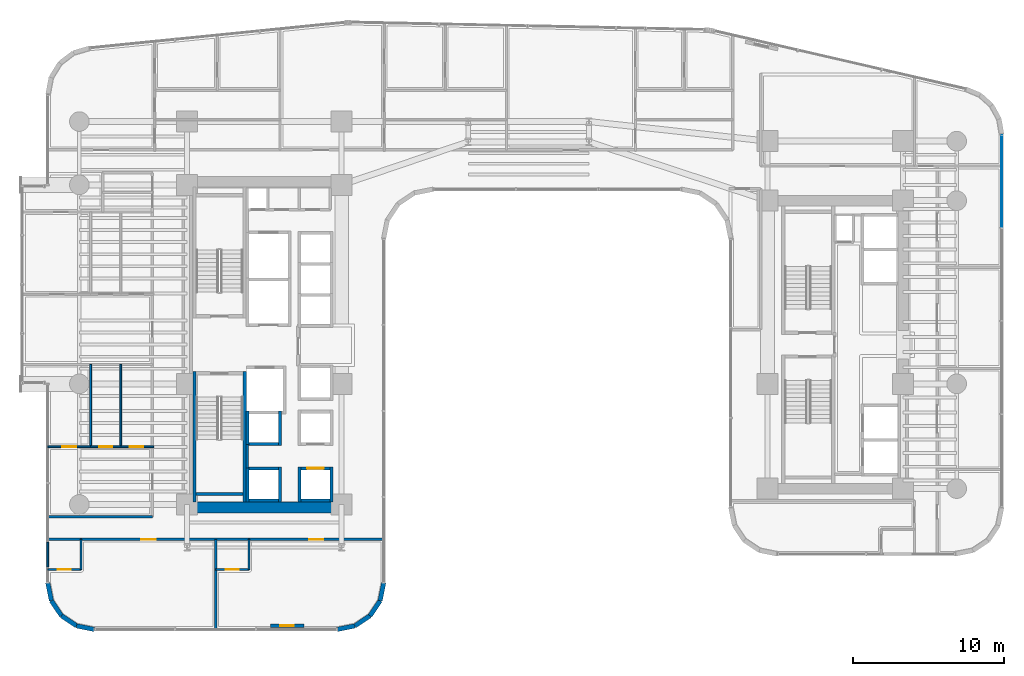
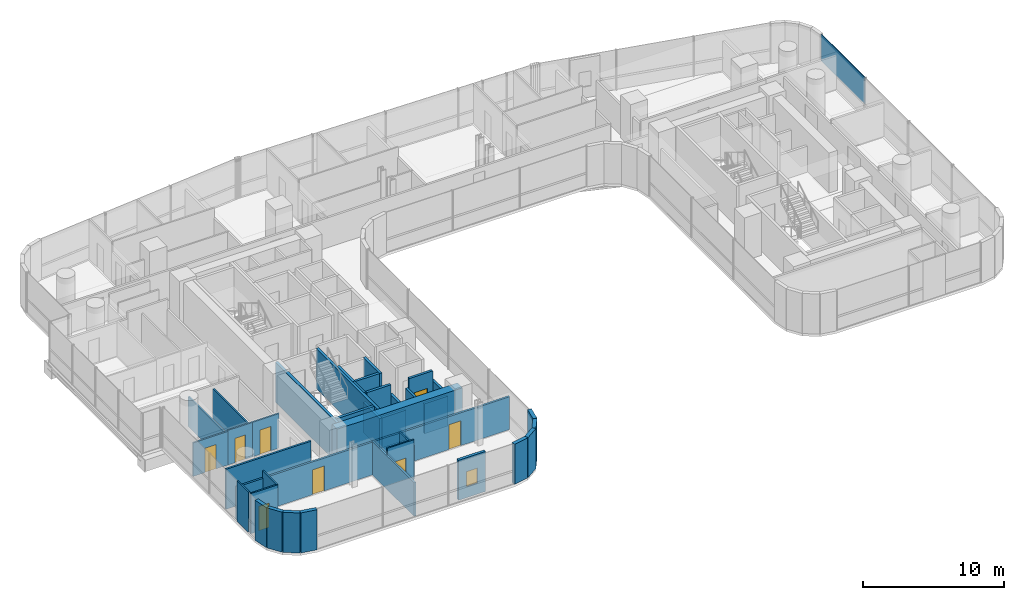
# One storey, part 29 of 40: 38 walls, 8 doors, 1 plate, 1 window, 9 openings, 1 element without a shape of its own.
"""IFC4 building model written with IfcOpenShell, lengths in metres."""

from ifc_helpers import new_model, si_unit, direction, frame, frame_2d, origin, origin_2d, place, context, subcontext, project, spatial, rectangle, extrude, source, transform, mapped, material, layer, layer_set, type_object, element, fill, aggregate, save


model = new_model("IFC4")

# Units and contexts
model_context = context("Model", 3, precision=1e-05, world=origin(), true_north=direction((0.0, 1.0)))
body_context = subcontext(model_context, "Body", "Model", "MODEL_VIEW")
ifc_project = project(units=[si_unit("LENGTHUNIT", "METRE"), si_unit("AREAUNIT", "SQUARE_METRE"), si_unit("VOLUMEUNIT", "CUBIC_METRE"), si_unit("PLANEANGLEUNIT", "RADIAN"), si_unit("MASSUNIT", "GRAM", prefix="KILO")], contexts=[model_context])

# Site, building, storey
site_placement = place(None, origin())
site = spatial("IfcSite", under=ifc_project, at=site_placement, CompositionType="ELEMENT")
building_placement = place(site_placement, origin())
building = spatial("IfcBuilding", under=site, at=building_placement, Name="Valdorenza Pilgrim Sanctuary Tower", CompositionType="ELEMENT")
storey_placement = place(building_placement, frame((0.0, 0.0, 40.800048828125)))
storey = spatial("IfcBuildingStorey", under=building, at=storey_placement, Name="L09", CompositionType="ELEMENT", Elevation=40.800048828125)

# Curtain wall, plate
ifc_material_1 = material(Name="Curtain-wall IGU glazing", Category="glass")
curtain_wall_type = type_object("IfcCurtainWallType", Name="CW-SYS-03", PredefinedType="NOTDEFINED", material=ifc_material_1)
curtain_wall_placement = place(storey_placement, origin())
curtain_wall = element("IfcCurtainWall", 1, at=curtain_wall_placement, inside=storey, type_object=curtain_wall_type, Name="L09 Curtain Wall CW-L09-1-21", PredefinedType="NOTDEFINED")
ifc_material_2 = material(Name="Ceramic-fritted low-E IGU glazing", Category="glass")
ifc_layer_1 = layer(ifc_material_2, 0.035888671875, Name="Ceramic-fritted low-E IGU glazing")
ifc_layer_set_1 = layer_set([ifc_layer_1], Name="Ceramic-fritted low-E IGU glazing")
plate_type = type_object("IfcPlateType", Name="CW-GLZ-IGU", PredefinedType="USERDEFINED", material=ifc_layer_set_1)
shared_shape = source(origin(), body_context, "Body", "SweptSolid", [
    extrude(rectangle(XDim=6.16357421875, YDim=0.050048828125, at=origin_2d()), origin(), (0.0, 0.0, 1.0), 2.320068359375),
])
plate_placement = place(storey_placement, frame((31.389892578125, 10.853271484375, 1.1298828125), z_axis=(0.0, 0.0, 1.0), x_axis=(0.0, -1.0, 0.0)))
plate = element("IfcPlate", 2, at=plate_placement, type_object=plate_type, Name="CW-L09-1-21 Facade Panel 1", ObjectType="GLAZING", PredefinedType="USERDEFINED", context=body_context, shape_type="MappedRepresentation", body=[
    mapped(shared_shape, transform((0.0, 0.0, 0.0), x_axis=(1.0, 0.0, 0.0), y_axis=(0.0, 1.0, 0.0), z_axis=(0.0, 0.0, 1.0), scale=1.0)),
])
aggregate(curtain_wall, [plate])

# Wall
ifc_material_3 = material(Name="Acoustic twin-stud gypsum partition", Category="gypsum")
ifc_layer_2 = layer(ifc_material_3, 0.159912109375, Name="Acoustic twin-stud gypsum partition")
ifc_layer_set_2 = layer_set([ifc_layer_2], Name="Acoustic twin-stud gypsum partition")
wall_type_1 = type_object("IfcWallType", Name="WAL-COR-160", PredefinedType="PARTITIONING", material=ifc_layer_set_2)
wall_1_placement = place(storey_placement, frame((-18.64990234375, -8.179931640625, 0.0), z_axis=(0.0, 0.0, 1.0), x_axis=(0.0, 1.0, 0.0)))
element("IfcWall", 3, at=wall_1_placement, inside=storey, type_object=wall_type_1, Name="L09 Core A South Lift Hall West Wall", PredefinedType="PARTITIONING", context=body_context, shape_type="SweptSolid", body=[
    extrude(rectangle(XDim=1.559814453125, YDim=0.159912109375, at=frame_2d((0.77978515625, 0.0))), origin(), (0.0, 0.0, 1.0), 3.4599609375),
])

# Wall, openings, doors
wall_2_placement = place(storey_placement, frame((-31.889892578125, -12.919921875, 0.0), z_axis=(0.0, 0.0, 1.0), x_axis=(1.0, 0.0, 0.0)))
wall_2 = element("IfcWall", 4, at=wall_2_placement, inside=storey, type_object=wall_type_1, Name="L09 South Wing Corridor Wall", PredefinedType="PARTITIONING", context=body_context, shape_type="SweptSolid", body=[
    extrude(rectangle(XDim=22.27978515625, YDim=0.159912109375, at=frame_2d((11.139892578125, 0.0))), origin(), (0.0, 0.0, 1.0), 2.833984375),
])
opening_1_placement = place(wall_2_placement, frame((6.195068359375, 0.0, 0.0)))
opening_1 = element("IfcOpeningElement", 5, at=opening_1_placement, cuts=wall_2, Name="Opening DR-UN1", PredefinedType="OPENING", context=body_context, shape_type="SweptSolid", body=[
    extrude(rectangle(XDim=0.949951171875, YDim=2.14990234375, at=frame_2d((0.47509765625, 1.074951171875))), frame((0.0, 0.0947265625, 0.0), z_axis=(0.0, -1.0, 0.0), x_axis=(1.0, 0.0, 0.0)), (0.0, 0.0, 1.0), 0.189697265625),
])
opening_2_placement = place(wall_2_placement, frame((17.3349609375, 0.0, 0.0)))
opening_2 = element("IfcOpeningElement", 6, at=opening_2_placement, cuts=wall_2, Name="Opening DR-UN1", PredefinedType="OPENING", context=body_context, shape_type="SweptSolid", body=[
    extrude(rectangle(XDim=0.949951171875, YDim=2.14990234375, at=frame_2d((0.47509765625, 1.074951171875))), frame((0.0, 0.0947265625, 0.0), z_axis=(0.0, -1.0, 0.0), x_axis=(1.0, 0.0, 0.0)), (0.0, 0.0, 1.0), 0.189697265625),
])
ifc_material_4 = material(Name="Solid-core European oak timber", Category="wood")
door_type_1 = type_object("IfcDoorType", Name="DR-UNIT-950", OperationType="NOTDEFINED", PredefinedType="DOOR", material=ifc_material_4)
door_1_placement = place(opening_1_placement, frame((0.949951171875, 0.0, 0.0), z_axis=(0.0, 0.0, 1.0), x_axis=(-1.0, 0.0, 0.0)))
door_1 = element("IfcDoor", 7, at=door_1_placement, inside=storey, type_object=door_type_1, Name="L09 South Sanctuary Guest Room L09-S1A Entrance Door", OperationType="SINGLE_SWING_LEFT", OverallHeight=2.14990234375, OverallWidth=0.949951171875, PredefinedType="DOOR", context=body_context, shape_type="SweptSolid", body=[
    extrude(rectangle(XDim=0.949951171875, YDim=2.14990234375, at=frame_2d((0.47509765625, 1.074951171875))), frame((0.0, 0.02490234375, 0.0), z_axis=(0.0, -1.0, 0.0), x_axis=(1.0, 0.0, 0.0)), (0.0, 0.0, 1.0), 0.050048828125),
])
fill(opening_1, door_1)
door_2_placement = place(opening_2_placement, frame((0.949951171875, 0.0, 0.0), z_axis=(0.0, 0.0, 1.0), x_axis=(-1.0, 0.0, 0.0)))
door_2 = element("IfcDoor", 8, at=door_2_placement, inside=storey, type_object=door_type_1, Name="L09 South Sanctuary Guest Room L09-S1B Entrance Door", OperationType="SINGLE_SWING_LEFT", OverallHeight=2.14990234375, OverallWidth=0.949951171875, PredefinedType="DOOR", context=body_context, shape_type="SweptSolid", body=[
    extrude(rectangle(XDim=0.949951171875, YDim=2.14990234375, at=frame_2d((0.47509765625, 1.074951171875))), frame((0.0, 0.02490234375, 0.0), z_axis=(0.0, -1.0, 0.0), x_axis=(1.0, 0.0, 0.0)), (0.0, 0.0, 1.0), 0.050048828125),
])
fill(opening_2, door_2)

# Walls
wall_3_placement = place(storey_placement, frame((-31.889892578125, -11.419921875, 0.0), z_axis=(0.0, 0.0, 1.0), x_axis=(1.0, 0.0, 0.0)))
element("IfcWall", 9, at=wall_3_placement, inside=storey, type_object=wall_type_1, Name="L09 South-West Corridor North Wall", PredefinedType="PARTITIONING", context=body_context, shape_type="SweptSolid", body=[
    extrude(rectangle(XDim=6.93994140625, YDim=0.159912109375, at=frame_2d((3.469970703125, 0.0))), origin(), (0.0, 0.0, 1.0), 3.4599609375),
])
ifc_material_5 = material(Name="Concrete C60/75", Category="concrete")
ifc_layer_3 = layer(ifc_material_5, 0.699951171875, Name="Concrete C60/75")
ifc_layer_set_3 = layer_set([ifc_layer_3], Name="Concrete C60/75")
wall_type_2 = type_object("IfcWallType", Name="WAL-COR-700", PredefinedType="SHEAR", material=ifc_layer_set_3)
wall_4_placement = place(storey_placement, frame((-22.64990234375, -10.800048828125, 0.0), z_axis=(0.0, 0.0, 1.0), x_axis=(1.0, 0.0, 0.0)))
element("IfcWall", 10, at=wall_4_placement, inside=storey, type_object=wall_type_2, Name="L09 Split Core A Shear Wall S", PredefinedType="SHEAR", context=body_context, shape_type="SweptSolid", body=[
    extrude(rectangle(XDim=10.25, YDim=0.699951171875, at=frame_2d((5.125, 0.0))), origin(), (0.0, 0.0, 1.0), 3.4599609375),
])
ifc_material_6 = material(Name="Honed travertine limestone", Category="masonry")
ifc_layer_4 = layer(ifc_material_6, 0.300048828125, Name="Honed travertine limestone")
ifc_layer_set_4 = layer_set([ifc_layer_4], Name="Honed travertine limestone")
wall_type_3 = type_object("IfcWallType", Name="WAL-EXT-300", PredefinedType="SOLIDWALL", material=ifc_layer_set_4)
wall_5_placement = place(storey_placement, frame((-9.610107421875, -15.789306640625, 0.0), z_axis=(0.0, 0.0, 1.0), x_axis=(-0.194996050505, -0.980804027463, 0.0)))
element("IfcWall", 11, at=wall_5_placement, inside=storey, type_object=wall_type_3, Name="L09 Rounded Wind-Corner Stone Pier 42", PredefinedType="SOLIDWALL", context=body_context, shape_type="SweptSolid", body=[
    extrude(rectangle(XDim=1.2158203125, YDim=0.300048828125, at=frame_2d((0.60791015625, 0.0))), origin(), (0.0, 0.0, 1.0), 3.4599609375),
])
for number, where, z_axis, x_axis, name in (
    (12, (-9.84716796875, -16.981689453125, 0.0), (0.0, 0.0, 1.0), (-0.555635100982, -0.831426265255, 0.0), "L09 Rounded Wind-Corner Stone Pier 43"),
    (13, (-10.5166015625, -17.9833984375, 0.0), (0.0, 0.0, 1.0), (-0.831426265255, -0.555635100982, 0.0), "L09 Rounded Wind-Corner Stone Pier 44"),
):
    element("IfcWall", number, at=place(storey_placement, frame(where, z_axis=z_axis, x_axis=x_axis)), inside=storey, type_object=wall_type_3, Name=name, PredefinedType="SOLIDWALL", context=body_context, shape_type="SweptSolid", body=[
        extrude(rectangle(XDim=1.204833984375, YDim=0.300048828125, at=frame_2d((0.6025390625, 0.0))), origin(), (0.0, 0.0, 1.0), 3.4599609375),
    ])
wall_6_placement = place(storey_placement, frame((-11.518310546875, -18.65283203125, 0.0), z_axis=(0.0, 0.0, 1.0), x_axis=(-0.980804027463, -0.194996050505, 0.0)))
element("IfcWall", 14, at=wall_6_placement, inside=storey, type_object=wall_type_3, Name="L09 Rounded Wind-Corner Stone Pier 45", PredefinedType="SOLIDWALL", context=body_context, shape_type="SweptSolid", body=[
    extrude(rectangle(XDim=1.2158203125, YDim=0.300048828125, at=frame_2d((0.60791015625, 0.0))), origin(), (0.0, 0.0, 1.0), 3.4599609375),
])

# Wall, opening, window
wall_7_placement = place(storey_placement, frame((-14.910888671875, -18.64990234375, 0.0), z_axis=(0.0, 0.0, 1.0), x_axis=(-1.0, 0.0, 0.0)))
wall_7 = element("IfcWall", 15, at=wall_7_placement, inside=storey, type_object=wall_type_3, Name="L09 Operable Ventilation Sash Jamb Pier", PredefinedType="SOLIDWALL", context=body_context, shape_type="SweptSolid", body=[
    extrude(rectangle(XDim=2.199951171875, YDim=0.219970703125, at=frame_2d((1.10009765625, 0.0))), origin(), (0.0, 0.0, 1.0), 3.4599609375),
])
opening_3_placement = place(wall_7_placement, frame((0.64990234375, 0.0, 0.949951171875)))
opening_3 = element("IfcOpeningElement", 16, at=opening_3_placement, cuts=wall_7, Name="Opening WN-OP1", PredefinedType="OPENING", context=body_context, shape_type="SweptSolid", body=[
    extrude(rectangle(XDim=0.89990234375, YDim=1.300048828125, at=frame_2d((0.449951171875, 0.64990234375))), frame((0.0, 0.125, 0.0), z_axis=(0.0, -1.0, 0.0), x_axis=(1.0, 0.0, 0.0)), (0.0, 0.0, 1.0), 0.249755859375),
])
window_type = type_object("IfcWindowType", Name="WIN-OPN-900", PartitioningType="SINGLE_PANEL", PredefinedType="WINDOW", material=ifc_material_2)
window_placement = place(opening_3_placement, origin())
window = element("IfcWindow", 17, at=window_placement, inside=storey, type_object=window_type, Name="L09 Parallel-Pop-Out Operable Facade Panel", OverallHeight=1.300048828125, OverallWidth=0.89990234375, PartitioningType="SINGLE_PANEL", PredefinedType="WINDOW", context=body_context, shape_type="SweptSolid", body=[
    extrude(rectangle(XDim=0.89990234375, YDim=1.300048828125, at=frame_2d((0.449951171875, 0.64990234375))), frame((0.0, 0.030029296875, 0.0), z_axis=(0.0, -1.0, 0.0), x_axis=(1.0, 0.0, 0.0)), (0.0, 0.0, 1.0), 0.06005859375),
])
fill(opening_3, window)

# Walls
wall_8_placement = place(storey_placement, frame((-28.789306640625, -18.889892578125, 0.0), z_axis=(0.0, 0.0, 1.0), x_axis=(-0.980804027463, 0.194996050505, 0.0)))
element("IfcWall", 18, at=wall_8_placement, inside=storey, type_object=wall_type_3, Name="L09 Rounded Wind-Corner Stone Pier 47", PredefinedType="SOLIDWALL", context=body_context, shape_type="SweptSolid", body=[
    extrude(rectangle(XDim=1.2158203125, YDim=0.300048828125, at=frame_2d((0.60791015625, 0.0))), origin(), (0.0, 0.0, 1.0), 3.4599609375),
])
for number, where, z_axis, x_axis, name in (
    (19, (-29.981689453125, -18.65283203125, 0.0), (0.0, 0.0, 1.0), (-0.831426265255, 0.555635100982, 0.0), "L09 Rounded Wind-Corner Stone Pier 48"),
    (20, (-30.9833984375, -17.9833984375, 0.0), (0.0, 0.0, 1.0), (-0.555635100982, 0.831426265255, 0.0), "L09 Rounded Wind-Corner Stone Pier 49"),
):
    element("IfcWall", number, at=place(storey_placement, frame(where, z_axis=z_axis, x_axis=x_axis)), inside=storey, type_object=wall_type_3, Name=name, PredefinedType="SOLIDWALL", context=body_context, shape_type="SweptSolid", body=[
        extrude(rectangle(XDim=1.204833984375, YDim=0.300048828125, at=frame_2d((0.6025390625, 0.0))), origin(), (0.0, 0.0, 1.0), 3.4599609375),
    ])
wall_9_placement = place(storey_placement, frame((-31.65283203125, -16.981689453125, 0.0), z_axis=(0.0, 0.0, 1.0), x_axis=(-0.194996050505, 0.980804027463, 0.0)))
element("IfcWall", 21, at=wall_9_placement, inside=storey, type_object=wall_type_3, Name="L09 Rounded Wind-Corner Stone Pier 50", PredefinedType="SOLIDWALL", context=body_context, shape_type="SweptSolid", body=[
    extrude(rectangle(XDim=1.2158203125, YDim=0.300048828125, at=frame_2d((0.60791015625, 0.0))), origin(), (0.0, 0.0, 1.0), 3.4599609375),
])
ifc_material_7 = material(Name="Moisture-resistant gypsum partition", Category="gypsum")
ifc_layer_5 = layer(ifc_material_7, 0.1201171875, Name="Moisture-resistant gypsum partition")
ifc_layer_set_5 = layer_set([ifc_layer_5], Name="Moisture-resistant gypsum partition")
wall_type_4 = type_object("IfcWallType", Name="WAL-INT-120", PredefinedType="PARTITIONING", material=ifc_layer_set_5)
for number, where, z_axis, x_axis, name in (
    (22, (-27.050048828125, -6.769287109375, 0.0), (0.0, 0.0, 1.0), (0.0, 1.0, 0.0), "L09 Pilgrim Family Flat L09-W1 Bath-Kitchen Wall"),
    (23, (-29.050048828125, -6.769287109375, 0.0), (0.0, 0.0, 1.0), (0.0, 1.0, 0.0), "L09 Pilgrim Family Flat L09-W1 Kitchen-Bedroom Wall"),
):
    element("IfcWall", number, at=place(storey_placement, frame(where, z_axis=z_axis, x_axis=x_axis)), inside=storey, type_object=wall_type_4, Name=name, PredefinedType="PARTITIONING", context=body_context, shape_type="SweptSolid", body=[
        extrude(rectangle(XDim=5.459228515625, YDim=0.1201171875, at=frame_2d((2.7294921875, 0.0))), origin(), (0.0, 0.0, 1.0), 2.5830078125),
    ])

# Wall, opening, door
wall_10_placement = place(storey_placement, frame((-29.050048828125, -6.769287109375, 0.0), z_axis=(0.0, 0.0, 1.0), x_axis=(1.0, 0.0, 0.0)))
wall_10 = element("IfcWall", 24, at=wall_10_placement, inside=storey, type_object=wall_type_4, Name="L09 Pilgrim Family Flat L09-W1 Bathroom Door Wall", PredefinedType="PARTITIONING", context=body_context, shape_type="SweptSolid", body=[
    extrude(rectangle(XDim=2.0, YDim=0.1201171875, at=frame_2d((1.0, 0.0))), origin(), (0.0, 0.0, 1.0), 2.97900390625),
])
opening_4_placement = place(wall_10_placement, frame((0.574951171875, 0.0, 0.0)))
opening_4 = element("IfcOpeningElement", 25, at=opening_4_placement, cuts=wall_10, Name="Opening DR-WC1", PredefinedType="OPENING", context=body_context, shape_type="SweptSolid", body=[
    extrude(rectangle(XDim=0.85009765625, YDim=2.10009765625, at=frame_2d((0.425048828125, 1.050048828125))), frame((0.0, 0.074951171875, 0.0), z_axis=(0.0, -1.0, 0.0), x_axis=(1.0, 0.0, 0.0)), (0.0, 0.0, 1.0), 0.14990234375),
])
ifc_material_8 = material(Name="Moisture-resistant lacquered timber", Category="wood")
door_type_2 = type_object("IfcDoorType", Name="DR-BATH-850", OperationType="NOTDEFINED", PredefinedType="DOOR", material=ifc_material_8)
door_3_placement = place(opening_4_placement, origin())
door_3 = element("IfcDoor", 26, at=door_3_placement, inside=storey, type_object=door_type_2, Name="L09 Pilgrim Family Flat L09-W1 Bathroom Door", OperationType="SINGLE_SWING_RIGHT", OverallHeight=2.10009765625, OverallWidth=0.85009765625, PredefinedType="DOOR", context=body_context, shape_type="SweptSolid", body=[
    extrude(rectangle(XDim=0.85009765625, YDim=2.10009765625, at=frame_2d((0.425048828125, 1.050048828125))), frame((0.0, 0.02490234375, 0.0), z_axis=(0.0, -1.0, 0.0), x_axis=(1.0, 0.0, 0.0)), (0.0, 0.0, 1.0), 0.050048828125),
])
fill(opening_4, door_3)

wall_11_placement = place(storey_placement, frame((-27.050048828125, -6.769287109375, 0.0), z_axis=(0.0, 0.0, 1.0), x_axis=(1.0, 0.0, 0.0)))
wall_11 = element("IfcWall", 27, at=wall_11_placement, inside=storey, type_object=wall_type_4, Name="L09 Pilgrim Family Flat L09-W1 Kitchen Door Wall", PredefinedType="PARTITIONING", context=body_context, shape_type="SweptSolid", body=[
    extrude(rectangle(XDim=2.179931640625, YDim=0.1201171875, at=frame_2d((1.08984375, 0.0))), origin(), (0.0, 0.0, 1.0), 2.97900390625),
])
opening_5_placement = place(wall_11_placement, frame((0.60009765625, 0.0, 0.0)))
opening_5 = element("IfcOpeningElement", 28, at=opening_5_placement, cuts=wall_11, Name="Opening DR-RM1", PredefinedType="OPENING", context=body_context, shape_type="SweptSolid", body=[
    extrude(rectangle(XDim=0.89990234375, YDim=2.10009765625, at=frame_2d((0.449951171875, 1.050048828125))), frame((0.0, 0.074951171875, 0.0), z_axis=(0.0, -1.0, 0.0), x_axis=(1.0, 0.0, 0.0)), (0.0, 0.0, 1.0), 0.14990234375),
])
door_type_3 = type_object("IfcDoorType", Name="DR-ROOM-900", OperationType="NOTDEFINED", PredefinedType="DOOR", material=ifc_material_4)
door_4_placement = place(opening_5_placement, origin())
door_4 = element("IfcDoor", 29, at=door_4_placement, inside=storey, type_object=door_type_3, Name="L09 Pilgrim Family Flat L09-W1 Kitchen Door", OperationType="SINGLE_SWING_LEFT", OverallHeight=2.10009765625, OverallWidth=0.89990234375, PredefinedType="DOOR", context=body_context, shape_type="SweptSolid", body=[
    extrude(rectangle(XDim=0.89990234375, YDim=2.10009765625, at=frame_2d((0.449951171875, 1.050048828125))), frame((0.0, 0.02490234375, 0.0), z_axis=(0.0, -1.0, 0.0), x_axis=(1.0, 0.0, 0.0)), (0.0, 0.0, 1.0), 0.050048828125),
])
fill(opening_5, door_4)

wall_12_placement = place(storey_placement, frame((-31.889892578125, -6.769287109375, 0.0), z_axis=(0.0, 0.0, 1.0), x_axis=(1.0, 0.0, 0.0)))
wall_12 = element("IfcWall", 30, at=wall_12_placement, inside=storey, type_object=wall_type_4, Name="L09 Pilgrim Family Flat L09-W1 Bedroom Door Wall", PredefinedType="PARTITIONING", context=body_context, shape_type="SweptSolid", body=[
    extrude(rectangle(XDim=2.83984375, YDim=0.1201171875, at=frame_2d((1.419921875, 0.0))), origin(), (0.0, 0.0, 1.0), 2.89599609375),
])
opening_6_placement = place(wall_12_placement, frame((0.969970703125, 0.0, 0.0)))
opening_6 = element("IfcOpeningElement", 31, at=opening_6_placement, cuts=wall_12, Name="Opening DR-RM1", PredefinedType="OPENING", context=body_context, shape_type="SweptSolid", body=[
    extrude(rectangle(XDim=0.89990234375, YDim=2.10009765625, at=frame_2d((0.449951171875, 1.050048828125))), frame((0.0, 0.074951171875, 0.0), z_axis=(0.0, -1.0, 0.0), x_axis=(1.0, 0.0, 0.0)), (0.0, 0.0, 1.0), 0.14990234375),
])
door_5_placement = place(opening_6_placement, origin())
door_5 = element("IfcDoor", 32, at=door_5_placement, inside=storey, type_object=door_type_3, Name="L09 Pilgrim Family Flat L09-W1 Bedroom Door", OperationType="SINGLE_SWING_RIGHT", OverallHeight=2.10009765625, OverallWidth=0.89990234375, PredefinedType="DOOR", context=body_context, shape_type="SweptSolid", body=[
    extrude(rectangle(XDim=0.89990234375, YDim=2.10009765625, at=frame_2d((0.449951171875, 1.050048828125))), frame((0.0, 0.02490234375, 0.0), z_axis=(0.0, -1.0, 0.0), x_axis=(1.0, 0.0, 0.0)), (0.0, 0.0, 1.0), 0.050048828125),
])
fill(opening_6, door_5)

# Wall
wall_13_placement = place(storey_placement, frame((-29.68994140625, -14.919921875, 0.0), z_axis=(0.0, 0.0, 1.0), x_axis=(0.0, 1.0, 0.0)))
element("IfcWall", 33, at=wall_13_placement, inside=storey, type_object=wall_type_4, Name="L09 South Sanctuary Guest Room L09-S1A En-suite East Wall", PredefinedType="PARTITIONING", context=body_context, shape_type="SweptSolid", body=[
    extrude(rectangle(XDim=2.0, YDim=0.1201171875, at=frame_2d((1.0, 0.0))), origin(), (0.0, 0.0, 1.0), 3.4599609375),
])

# Wall, opening, door
wall_14_placement = place(storey_placement, frame((-31.889892578125, -14.919921875, 0.0), z_axis=(0.0, 0.0, 1.0), x_axis=(1.0, 0.0, 0.0)))
wall_14 = element("IfcWall", 34, at=wall_14_placement, inside=storey, type_object=wall_type_4, Name="L09 South Sanctuary Guest Room L09-S1A En-suite Door Wall", PredefinedType="PARTITIONING", context=body_context, shape_type="SweptSolid", body=[
    extrude(rectangle(XDim=2.199951171875, YDim=0.1201171875, at=frame_2d((1.10009765625, 0.0))), origin(), (0.0, 0.0, 1.0), 3.4599609375),
])
opening_7_placement = place(wall_14_placement, frame((0.675048828125, 0.0, 0.0)))
opening_7 = element("IfcOpeningElement", 35, at=opening_7_placement, cuts=wall_14, Name="Opening DR-WC1", PredefinedType="OPENING", context=body_context, shape_type="SweptSolid", body=[
    extrude(rectangle(XDim=0.85009765625, YDim=2.10009765625, at=frame_2d((0.425048828125, 1.050048828125))), frame((0.0, 0.074951171875, 0.0), z_axis=(0.0, -1.0, 0.0), x_axis=(1.0, 0.0, 0.0)), (0.0, 0.0, 1.0), 0.14990234375),
])
door_6_placement = place(opening_7_placement, origin())
door_6 = element("IfcDoor", 36, at=door_6_placement, inside=storey, type_object=door_type_2, Name="L09 South Sanctuary Guest Room L09-S1A En-suite Bathroom Door", OperationType="SINGLE_SWING_RIGHT", OverallHeight=2.10009765625, OverallWidth=0.85009765625, PredefinedType="DOOR", context=body_context, shape_type="SweptSolid", body=[
    extrude(rectangle(XDim=0.85009765625, YDim=2.10009765625, at=frame_2d((0.425048828125, 1.050048828125))), frame((0.0, 0.02490234375, 0.0), z_axis=(0.0, -1.0, 0.0), x_axis=(1.0, 0.0, 0.0)), (0.0, 0.0, 1.0), 0.050048828125),
])
fill(opening_7, door_6)

# Walls
wall_15_placement = place(storey_placement, frame((-31.889892578125, -14.739990234375, 0.0), z_axis=(0.0, 0.0, 1.0), x_axis=(0.0, 1.0, 0.0)))
element("IfcWall", 37, at=wall_15_placement, inside=storey, type_object=wall_type_4, Name="L09 SW-FL1A-ENS Enclosure Wall W", PredefinedType="PARTITIONING", context=body_context, shape_type="SweptSolid", body=[
    extrude(rectangle(XDim=1.619873046875, YDim=0.1201171875, at=frame_2d((0.81005859375, 0.0))), origin(), (0.0, 0.0, 1.0), 3.4599609375),
])
wall_16_placement = place(storey_placement, frame((-18.550048828125, -14.919921875, 0.0), z_axis=(0.0, 0.0, 1.0), x_axis=(0.0, 1.0, 0.0)))
element("IfcWall", 38, at=wall_16_placement, inside=storey, type_object=wall_type_4, Name="L09 South Sanctuary Guest Room L09-S1B En-suite East Wall", PredefinedType="PARTITIONING", context=body_context, shape_type="SweptSolid", body=[
    extrude(rectangle(XDim=2.0, YDim=0.1201171875, at=frame_2d((1.0, 0.0))), origin(), (0.0, 0.0, 1.0), 2.89599609375),
])

# Wall, opening, door
wall_17_placement = place(storey_placement, frame((-20.75, -14.919921875, 0.0), z_axis=(0.0, 0.0, 1.0), x_axis=(1.0, 0.0, 0.0)))
wall_17 = element("IfcWall", 39, at=wall_17_placement, inside=storey, type_object=wall_type_4, Name="L09 South Sanctuary Guest Room L09-S1B En-suite Door Wall", PredefinedType="PARTITIONING", context=body_context, shape_type="SweptSolid", body=[
    extrude(rectangle(XDim=2.199951171875, YDim=0.1201171875, at=frame_2d((1.10009765625, 0.0))), origin(), (0.0, 0.0, 1.0), 3.4599609375),
])
opening_8_placement = place(wall_17_placement, frame((0.675048828125, 0.0, 0.0)))
opening_8 = element("IfcOpeningElement", 40, at=opening_8_placement, cuts=wall_17, Name="Opening DR-WC1", PredefinedType="OPENING", context=body_context, shape_type="SweptSolid", body=[
    extrude(rectangle(XDim=0.85009765625, YDim=2.10009765625, at=frame_2d((0.425048828125, 1.050048828125))), frame((0.0, 0.074951171875, 0.0), z_axis=(0.0, -1.0, 0.0), x_axis=(1.0, 0.0, 0.0)), (0.0, 0.0, 1.0), 0.14990234375),
])
door_7_placement = place(opening_8_placement, origin())
door_7 = element("IfcDoor", 41, at=door_7_placement, inside=storey, type_object=door_type_2, Name="L09 South Sanctuary Guest Room L09-S1B En-suite Bathroom Door", OperationType="SINGLE_SWING_RIGHT", OverallHeight=2.10009765625, OverallWidth=0.85009765625, PredefinedType="DOOR", context=body_context, shape_type="SweptSolid", body=[
    extrude(rectangle(XDim=0.85009765625, YDim=2.10009765625, at=frame_2d((0.425048828125, 1.050048828125))), frame((0.0, 0.02490234375, 0.0), z_axis=(0.0, -1.0, 0.0), x_axis=(1.0, 0.0, 0.0)), (0.0, 0.0, 1.0), 0.050048828125),
])
fill(opening_8, door_7)

# Walls
ifc_material_9 = material(Name="Autoclaved aerated concrete blockwork", Category="masonry")
ifc_layer_6 = layer(ifc_material_9, 0.199951171875, Name="Autoclaved aerated concrete blockwork")
ifc_layer_set_6 = layer_set([ifc_layer_6], Name="Autoclaved aerated concrete blockwork")
wall_type_5 = type_object("IfcWallType", Name="WAL-SHF-200", PredefinedType="MOVABLE", material=ifc_layer_set_6)
for number, where, z_axis, x_axis, name in (
    (42, (-15.199951171875, -10.449951171875, 0.0), (0.0, 0.0, 1.0), (0.0, 1.0, 0.0), "L09 Lift PL-01 Hoistway Wall West"),
    (43, (-13.080078125, -10.449951171875, 0.0), (0.0, 0.0, 1.0), (0.0, 1.0, 0.0), "L09 Lift PL-01 Hoistway Wall East"),
):
    element("IfcWall", number, at=place(storey_placement, frame(where, z_axis=z_axis, x_axis=x_axis)), inside=storey, type_object=wall_type_5, Name=name, PredefinedType="MOVABLE", context=body_context, shape_type="SweptSolid", body=[
        extrude(rectangle(XDim=2.349853515625, YDim=0.199951171875, at=frame_2d((1.1748046875, 0.0))), origin(), (0.0, 0.0, 1.0), 2.5830078125),
    ])
wall_18_placement = place(storey_placement, frame((-15.10009765625, -10.35009765625, 0.0), z_axis=(0.0, 0.0, 1.0), x_axis=(1.0, 0.0, 0.0)))
element("IfcWall", 44, at=wall_18_placement, inside=storey, type_object=wall_type_5, Name="L09 Lift PL-01 Hoistway Wall South", PredefinedType="MOVABLE", context=body_context, shape_type="SweptSolid", body=[
    extrude(rectangle(XDim=1.920166015625, YDim=0.199951171875, at=frame_2d((0.9599609375, 0.0))), origin(), (0.0, 0.0, 1.0), 2.5830078125),
])

# Wall, opening, door
wall_19_placement = place(storey_placement, frame((-15.10009765625, -8.199951171875, 0.0), z_axis=(0.0, 0.0, 1.0), x_axis=(1.0, 0.0, 0.0)))
wall_19 = element("IfcWall", 45, at=wall_19_placement, inside=storey, type_object=wall_type_5, Name="L09 Lift PL-01 Hoistway Wall North", PredefinedType="MOVABLE", context=body_context, shape_type="SweptSolid", body=[
    extrude(rectangle(XDim=1.920166015625, YDim=0.199951171875, at=frame_2d((0.9599609375, 0.0))), origin(), (0.0, 0.0, 1.0), 3.4599609375),
])
opening_9_placement = place(wall_19_placement, frame((0.409912109375, 0.0, 0.0)))
opening_9 = element("IfcOpeningElement", 46, at=opening_9_placement, cuts=wall_19, Name="Opening LD-01", PredefinedType="OPENING", context=body_context, shape_type="SweptSolid", body=[
    extrude(rectangle(XDim=1.10009765625, YDim=2.10009765625, at=frame_2d((0.550048828125, 1.050048828125))), frame((0.0, 0.11474609375, 0.0), z_axis=(0.0, -1.0, 0.0), x_axis=(1.0, 0.0, 0.0)), (0.0, 0.0, 1.0), 0.229736328125),
])
ifc_material_10 = material(Name="Brushed stainless steel Grade 316", Category="steel")
door_type_4 = type_object("IfcDoorType", Name="DR-LFT-1100", OperationType="DOUBLE_DOOR_SLIDING", PredefinedType="DOOR", material=ifc_material_10)
door_8_placement = place(opening_9_placement, origin())
door_8 = element("IfcDoor", 47, at=door_8_placement, inside=storey, type_object=door_type_4, Name="L09 Lift PL-01 Sliding Landing Door", OperationType="DOUBLE_DOOR_SLIDING", OverallHeight=2.10009765625, OverallWidth=1.10009765625, PredefinedType="DOOR", context=body_context, shape_type="SweptSolid", body=[
    extrude(rectangle(XDim=1.10009765625, YDim=2.10009765625, at=frame_2d((0.550048828125, 1.050048828125))), frame((0.0, 0.02490234375, 0.0), z_axis=(0.0, -1.0, 0.0), x_axis=(1.0, 0.0, 0.0)), (0.0, 0.0, 1.0), 0.050048828125),
])
fill(opening_9, door_8)

# Walls
for number, where, z_axis, x_axis, name in (
    (48, (-18.64990234375, -10.449951171875, 0.0), (0.0, 0.0, 1.0), (0.0, 1.0, 0.0), "L09 Lift PL-05 Hoistway Wall West"),
    (49, (-16.5, -10.449951171875, 0.0), (0.0, 0.0, 1.0), (0.0, 1.0, 0.0), "L09 Lift PL-05 Hoistway Wall East"),
):
    element("IfcWall", number, at=place(storey_placement, frame(where, z_axis=z_axis, x_axis=x_axis)), inside=storey, type_object=wall_type_5, Name=name, PredefinedType="MOVABLE", context=body_context, shape_type="SweptSolid", body=[
        extrude(rectangle(XDim=2.349853515625, YDim=0.199951171875, at=frame_2d((1.1748046875, 0.0))), origin(), (0.0, 0.0, 1.0), 2.5830078125),
    ])
wall_20_placement = place(storey_placement, frame((-18.550048828125, -10.35009765625, 0.0), z_axis=(0.0, 0.0, 1.0), x_axis=(1.0, 0.0, 0.0)))
element("IfcWall", 50, at=wall_20_placement, inside=storey, type_object=wall_type_5, Name="L09 Lift PL-05 Hoistway Wall South", PredefinedType="MOVABLE", context=body_context, shape_type="SweptSolid", body=[
    extrude(rectangle(XDim=1.949951171875, YDim=0.199951171875, at=frame_2d((0.97509765625, 0.0))), origin(), (0.0, 0.0, 1.0), 2.5830078125),
])
wall_21_placement = place(storey_placement, frame((-18.550048828125, -8.199951171875, 0.0), z_axis=(0.0, 0.0, 1.0), x_axis=(1.0, 0.0, 0.0)))
element("IfcWall", 51, at=wall_21_placement, inside=storey, type_object=wall_type_5, Name="L09 Lift PL-05 Hoistway Wall North", PredefinedType="MOVABLE", context=body_context, shape_type="SweptSolid", body=[
    extrude(rectangle(XDim=1.949951171875, YDim=0.199951171875, at=frame_2d((0.97509765625, 0.0))), origin(), (0.0, 0.0, 1.0), 3.4599609375),
])
for number, where, z_axis, x_axis, name in (
    (52, (-18.64990234375, -6.699951171875, 0.0), (0.0, 0.0, 1.0), (0.0, 1.0, 0.0), "L09 Lift PL-11 Hoistway Wall West"),
    (53, (-16.5, -6.699951171875, 0.0), (0.0, 0.0, 1.0), (0.0, 1.0, 0.0), "L09 Lift PL-11 Hoistway Wall East"),
):
    element("IfcWall", number, at=place(storey_placement, frame(where, z_axis=z_axis, x_axis=x_axis)), inside=storey, type_object=wall_type_5, Name=name, PredefinedType="MOVABLE", context=body_context, shape_type="SweptSolid", body=[
        extrude(rectangle(XDim=2.300048828125, YDim=0.199951171875, at=frame_2d((1.14990234375, 0.0))), origin(), (0.0, 0.0, 1.0), 3.4599609375),
    ])
wall_22_placement = place(storey_placement, frame((-18.550048828125, -6.60009765625, 0.0), z_axis=(0.0, 0.0, 1.0), x_axis=(1.0, 0.0, 0.0)))
element("IfcWall", 54, at=wall_22_placement, inside=storey, type_object=wall_type_5, Name="L09 Lift PL-11 Hoistway Wall South", PredefinedType="MOVABLE", context=body_context, shape_type="SweptSolid", body=[
    extrude(rectangle(XDim=1.949951171875, YDim=0.199951171875, at=frame_2d((0.97509765625, 0.0))), origin(), (0.0, 0.0, 1.0), 3.4599609375),
])
ifc_material_11 = material(Name="Concrete C40/50", Category="concrete")
ifc_layer_7 = layer(ifc_material_11, 0.219970703125, Name="Concrete C40/50")
ifc_layer_set_7 = layer_set([ifc_layer_7], Name="Concrete C40/50")
wall_type_6 = type_object("IfcWallType", Name="WAL-STR-SHF-220", PredefinedType="SHEAR", material=ifc_layer_set_7)
for number, where, z_axis, x_axis, name in (
    (55, (-22.159912109375, -10.449951171875, 0.0), (0.0, 0.0, 1.0), (0.0, 1.0, 0.0), "L09 ST-A2 Structural Stairwell Wall W"),
    (56, (-18.830078125, -10.449951171875, 0.0), (0.0, 0.0, 1.0), (0.0, 1.0, 0.0), "L09 ST-A2 Structural Stairwell Wall E"),
):
    element("IfcWall", number, at=place(storey_placement, frame(where, z_axis=z_axis, x_axis=x_axis)), inside=storey, type_object=wall_type_6, Name=name, PredefinedType="SHEAR", context=body_context, shape_type="SweptSolid", body=[
        extrude(rectangle(XDim=8.669921875, YDim=0.219970703125, at=frame_2d((4.3349609375, 0.0))), origin(), (0.0, 0.0, 1.0), 3.4599609375),
    ])
wall_23_placement = place(storey_placement, frame((-22.050048828125, -9.909912109375, 0.0), z_axis=(0.0, 0.0, 1.0), x_axis=(1.0, 0.0, 0.0)))
element("IfcWall", 57, at=wall_23_placement, inside=storey, type_object=wall_type_6, Name="L09 ST-A2 Structural Stairwell Wall S", PredefinedType="SHEAR", context=body_context, shape_type="SweptSolid", body=[
    extrude(rectangle(XDim=3.110107421875, YDim=0.219970703125, at=frame_2d((1.55517578125, 0.0))), origin(), (0.0, 0.0, 1.0), 3.4599609375),
])
ifc_layer_8 = layer(ifc_material_3, 0.14990234375, Name="Acoustic twin-stud gypsum partition")
ifc_layer_set_8 = layer_set([ifc_layer_8], Name="Acoustic twin-stud gypsum partition")
wall_type_7 = type_object("IfcWallType", Name="WAL-UNT-150", PredefinedType="PARTITIONING", material=ifc_layer_set_8)
wall_24_placement = place(storey_placement, frame((-20.75, -18.889892578125, 0.0), z_axis=(0.0, 0.0, 1.0), x_axis=(0.0, 1.0, 0.0)))
element("IfcWall", 58, at=wall_24_placement, inside=storey, type_object=wall_type_7, Name="L09 South Sanctuary Guest Room L09-S1 Split Wall", PredefinedType="PARTITIONING", context=body_context, shape_type="SweptSolid", body=[
    extrude(rectangle(XDim=5.969970703125, YDim=0.14990234375, at=frame_2d((2.98486328125, 0.0))), origin(), (0.0, 0.0, 1.0), 2.89599609375),
])

save(model, "model.ifc")
